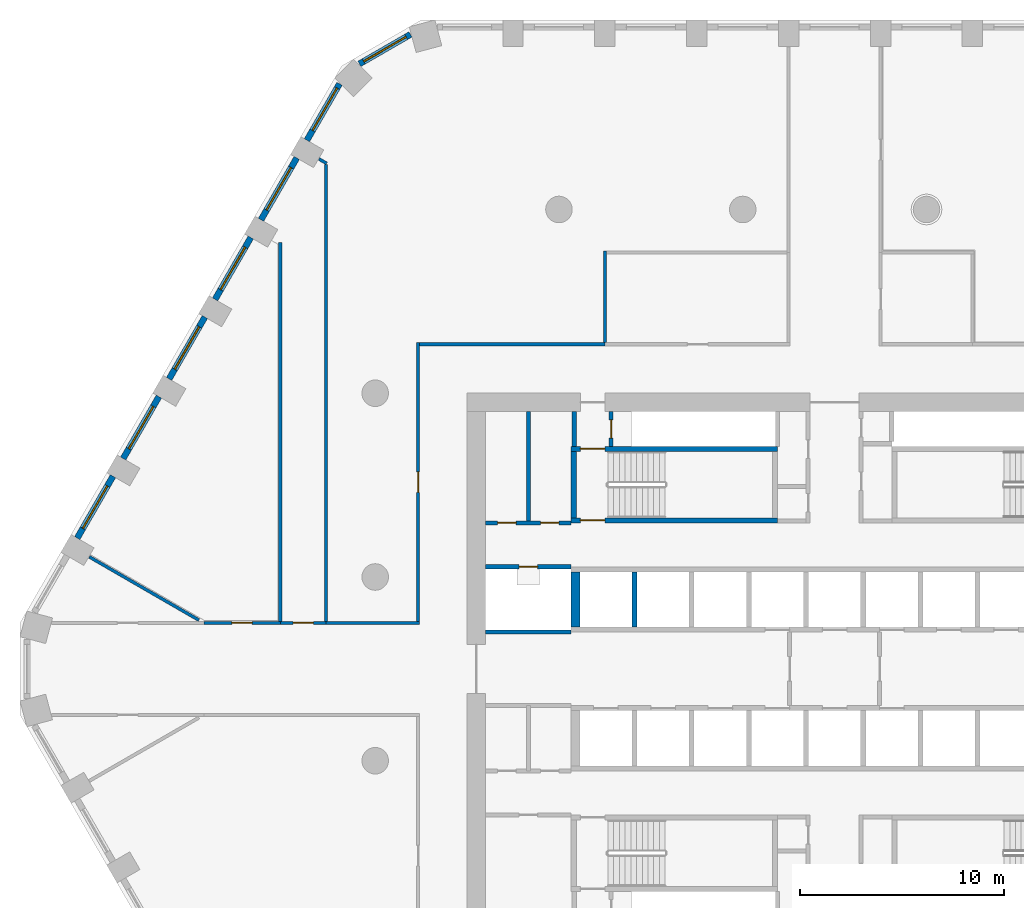
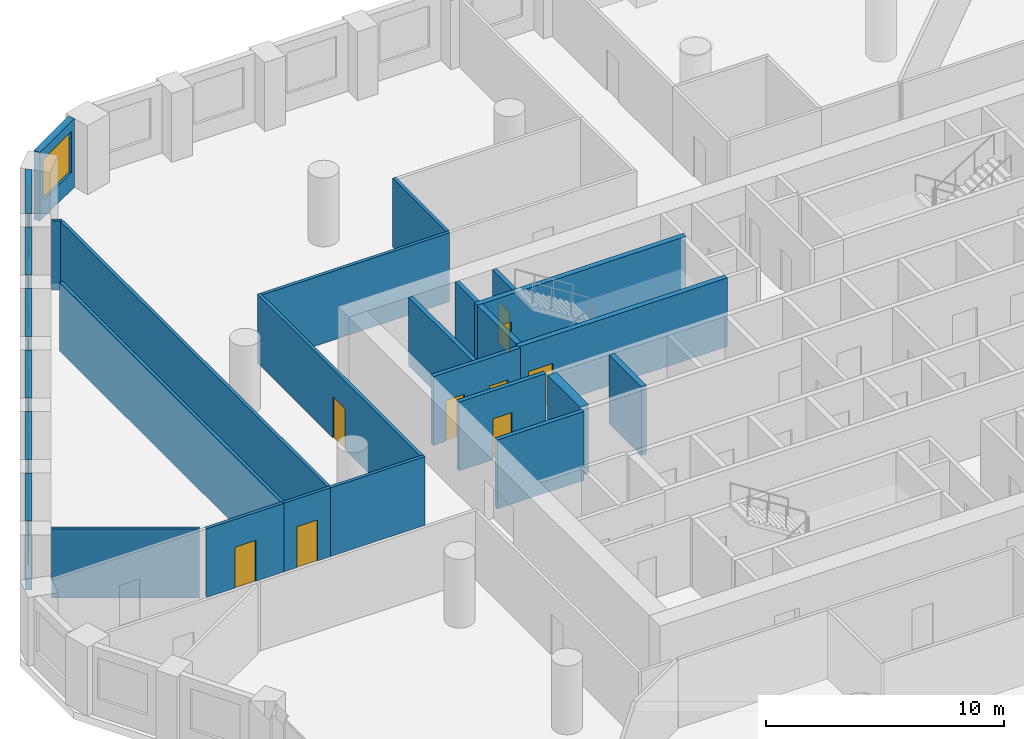
# One storey, part 5 of 14: 28 walls, 9 doors, 7 windows, 16 openings.
"""IFC4 building model written with IfcOpenShell, lengths in metres."""

import ifcopenshell
import ifcopenshell.guid

model = None  # the IFC model being written
_history = None  # IfcOwnerHistory: only IFC2X3 demands one
_inside = {}  # id of a spatial element -> (the spatial element, [elements in it])
_under = {}  # id of a project, library or spatial element -> (it, [spatial elements below it])
_declared = {}  # id of a project -> (the project, [libraries it declares])
_typed = {}  # id of a type object -> (the type object, [elements of that type])
_made_of = {}  # id of a material, layer set ... -> (it, [elements and type objects made of it])


def new_model(schema):
    """Start an empty IFC model of exactly this schema.

    Asked for "IFC4X3", IfcOpenShell would pick the latest addendum, in which some entities
    have other attributes; the version numbers below select the first issue.
    IFC2X3 requires an IfcOwnerHistory on every rooted entity: one is made here for all.
    """
    global model, _history
    if schema == "IFC4X3":
        model = ifcopenshell.file(schema_version=(4, 3, 0, 0))
    else:
        model = ifcopenshell.file(schema=schema)
    _inside.clear()
    _under.clear()
    _declared.clear()
    _typed.clear()
    _made_of.clear()
    _history = None
    if model.schema == "IFC2X3":
        org = make("IfcOrganization", Name="unknown")
        user = make(
            "IfcPersonAndOrganization",
            ThePerson=make("IfcPerson", FamilyName="unknown"),
            TheOrganization=org,
        )
        app = make(
            "IfcApplication",
            ApplicationDeveloper=org,
            Version="unknown",
            ApplicationFullName="unknown",
            ApplicationIdentifier="unknown",
        )
        _history = make(
            "IfcOwnerHistory",
            OwningUser=user,
            OwningApplication=app,
            ChangeAction="ADDED",
            CreationDate=0,
        )
    return model


def make(cls, **values):
    """One entity of the class cls with the attributes given. An attribute that is None is left unset."""
    return model.create_entity(
        cls, **{name: value for name, value in values.items() if value is not None}
    )


def rooted(cls, **values):
    """An entity with a GlobalId (a new one), such as an element, a storey or a relation."""
    return make(cls, GlobalId=ifcopenshell.guid.new(), OwnerHistory=_history, **values)


def si_unit(unit_type, name, prefix=None):
    """IfcSIUnit, for example si_unit("LENGTHUNIT", "METRE", prefix="MILLI")."""
    return make("IfcSIUnit", UnitType=unit_type, Prefix=prefix, Name=name)


def assignment(units):
    """IfcUnitAssignment: the units of a project."""
    return None if units is None else make("IfcUnitAssignment", Units=units)


def point(xyz):
    """IfcCartesianPoint."""
    return None if xyz is None else make("IfcCartesianPoint", Coordinates=xyz)


def direction(xyz):
    """IfcDirection."""
    return None if xyz is None else make("IfcDirection", DirectionRatios=xyz)


def frame(location, z_axis=None, x_axis=None):
    """IfcAxis2Placement3D, a coordinate frame: its origin and axes. An axis left out is left unset."""
    return make(
        "IfcAxis2Placement3D",
        Location=point(location),
        Axis=direction(z_axis),
        RefDirection=direction(x_axis),
    )


def frame_2d(location, x_axis=None):
    """IfcAxis2Placement2D, a coordinate frame in the plane: its origin and x axis."""
    return make(
        "IfcAxis2Placement2D", Location=point(location), RefDirection=direction(x_axis)
    )


def origin():
    """The frame at (0, 0, 0) with its axes left unset."""
    return frame((0.0, 0.0, 0.0))


def place(relative_to, where):
    """IfcLocalPlacement: puts the frame where relative to a parent placement (None: the world)."""
    return make(
        "IfcLocalPlacement", PlacementRelTo=relative_to, RelativePlacement=where
    )


def context(
    kind, dimensions, precision=None, world=None, true_north=None, identifier=None
):
    """IfcGeometricRepresentationContext, for example the 3D "Model" context."""
    return make(
        "IfcGeometricRepresentationContext",
        ContextIdentifier=identifier,
        ContextType=kind,
        CoordinateSpaceDimension=dimensions,
        Precision=precision,
        WorldCoordinateSystem=world,
        TrueNorth=true_north,
    )


def subcontext(parent, identifier, kind, view, scale=None):
    """IfcGeometricRepresentationSubContext, for example "Body" below "Model"."""
    return make(
        "IfcGeometricRepresentationSubContext",
        ContextIdentifier=identifier,
        ContextType=kind,
        ParentContext=parent,
        TargetScale=scale,
        TargetView=view,
    )


def project(units=None, contexts=None):
    """IfcProject with its units and contexts."""
    return rooted(
        "IfcProject",
        Name="project",
        RepresentationContexts=contexts,
        UnitsInContext=assignment(units),
    )


def spatial(cls, under=None, at=None, **own):
    """A site, building, storey or space (cls), placed at a placement, below another one or the project."""
    s = rooted(cls, ObjectPlacement=at, **own)
    if under is not None:
        _under.setdefault(under.id(), (under, []))[1].append(s)
    return s


def polyline(points):
    """IfcPolyline through the points."""
    return make("IfcPolyline", Points=[point(p) for p in points])


def profile(cls, at=None, kind="AREA", **sizes):
    """A parametric profile (cls). Its sizes go by their IFC names, for example OverallWidth=200.0."""
    return make(cls, ProfileType=kind, Position=at, **sizes)


def rectangle(**sizes):
    """IfcRectangleProfileDef."""
    return profile("IfcRectangleProfileDef", **sizes)


def outline(outer, holes=None, kind="AREA"):
    """IfcArbitraryClosedProfileDef: a profile drawn as a closed curve; with holes, ...WithVoids."""
    if holes is None:
        return make("IfcArbitraryClosedProfileDef", ProfileType=kind, OuterCurve=outer)
    return make(
        "IfcArbitraryProfileDefWithVoids",
        ProfileType=kind,
        OuterCurve=outer,
        InnerCurves=holes,
    )


def extrude(swept, where, along, depth):
    """IfcExtrudedAreaSolid: the profile swept, set in the frame where, extruded along a direction by depth."""
    return make(
        "IfcExtrudedAreaSolid",
        SweptArea=swept,
        Position=where,
        ExtrudedDirection=direction(along),
        Depth=depth,
    )


def shape(context_of_items, identifier, shape_type, items):
    """IfcShapeRepresentation: the items that make up one representation, for example the "Body"."""
    return make(
        "IfcShapeRepresentation",
        ContextOfItems=context_of_items,
        RepresentationIdentifier=identifier,
        RepresentationType=shape_type,
        Items=items,
    )


def material(Name=None, Category=None):
    """IfcMaterial."""
    return make("IfcMaterial", Name=Name, Category=Category)


def layer(
    of_material, thickness, ventilated=None, Name=None, Category=None, Priority=None
):
    """IfcMaterialLayer: one layer of a wall or slab, of a material (None: an air gap)."""
    return make(
        "IfcMaterialLayer",
        Material=of_material,
        LayerThickness=thickness,
        IsVentilated=ventilated,
        Name=Name,
        Category=Category,
        Priority=Priority,
    )


def layer_set(layers, Name=None):
    """IfcMaterialLayerSet."""
    return make("IfcMaterialLayerSet", MaterialLayers=layers, LayerSetName=Name)


def made_of(thing, what):
    """Note that an element or type object is made of a material, layer set ...; save() writes the relation."""
    if what is not None:
        _made_of.setdefault(what.id(), (what, []))[1].append(thing)
    return thing


def type_object(cls, material=None, **own):
    """A type object (cls), such as IfcWallType, which elements share."""
    return made_of(rooted(cls, **own), material)


def element(
    cls,
    number,
    at=None,
    inside=None,
    cuts=None,
    type_object=None,
    material=None,
    context=None,
    identifier="Body",
    shape_type=None,
    held_by="IfcProductDefinitionShape",
    body=None,
    shapes=None,
    **own,
):
    """One element of the class cls, such as IfcWall. Its Tag is "e" and its number.

    at: its placement. inside: the storey or other place that contains it. cuts: it is an
    opening in that element (IfcRelVoidsElement). A single representation is given by context,
    identifier, shape_type and body (its items); several are given by shapes. held_by: the class
    of the entity that holds the representations. save() writes the other relations.
    """
    e = rooted(cls, Tag="e%d" % number, ObjectPlacement=at, **own)
    if body is not None:
        shapes = [shape(context, identifier, shape_type, body)]
    if shapes is not None:
        e.Representation = make(held_by, Representations=shapes)
    if inside is not None:
        _inside.setdefault(inside.id(), (inside, []))[1].append(e)
    if cuts is not None:
        rooted(
            "IfcRelVoidsElement", RelatingBuildingElement=cuts, RelatedOpeningElement=e
        )
    if type_object is not None:
        _typed.setdefault(type_object.id(), (type_object, []))[1].append(e)
    return made_of(e, material)


def fill(opening, filler):
    """IfcRelFillsElement: the door or window that sits in an opening."""
    return rooted(
        "IfcRelFillsElement",
        RelatingOpeningElement=opening,
        RelatedBuildingElement=filler,
    )


def aggregate(whole, parts):
    """IfcRelAggregates: a whole, such as a stair, and the parts it consists of."""
    return rooted("IfcRelAggregates", RelatingObject=whole, RelatedObjects=parts)


def save(model, path):
    """Write the relations noted so far, then the file.

    IfcRelAggregates (storeys below a building ...), IfcRelContainedInSpatialStructure (elements
    in a storey), IfcRelDefinesByType, IfcRelAssociatesMaterial and IfcRelDeclares: one each for
    every whole, place, type object, material and project.
    """
    for whole, parts in _under.values():
        aggregate(whole, parts)
    for where, things in _inside.values():
        rooted(
            "IfcRelContainedInSpatialStructure",
            RelatedElements=things,
            RelatingStructure=where,
        )
    for kind, things in _typed.values():
        rooted("IfcRelDefinesByType", RelatedObjects=things, RelatingType=kind)
    for what, things in _made_of.values():
        rooted("IfcRelAssociatesMaterial", RelatedObjects=things, RelatingMaterial=what)
    for by, libraries in _declared.values():
        rooted("IfcRelDeclares", RelatingContext=by, RelatedDefinitions=libraries)
    model.write(path)


model = new_model("IFC4")

# Units and contexts
model_context = context("Model", 3, precision=1e-05, world=origin(), true_north=direction((0.0, 1.0)))
body_context = subcontext(model_context, "Body", "Model", "MODEL_VIEW")
ifc_project = project(units=[si_unit("LENGTHUNIT", "METRE"), si_unit("AREAUNIT", "SQUARE_METRE"), si_unit("VOLUMEUNIT", "CUBIC_METRE"), si_unit("PLANEANGLEUNIT", "RADIAN"), si_unit("MASSUNIT", "GRAM", prefix="KILO")], contexts=[model_context])

# Site, building, storey
site_placement = place(None, origin())
site = spatial("IfcSite", under=ifc_project, at=site_placement, CompositionType="ELEMENT")
building_placement = place(site_placement, origin())
building = spatial("IfcBuilding", under=site, at=building_placement, Name="Dhurran Vertical Campus", CompositionType="ELEMENT")
storey_placement = place(building_placement, frame((0.0, 0.0, 100.800048828125)))
storey = spatial("IfcBuildingStorey", under=building, at=storey_placement, Name="L24", CompositionType="ELEMENT", Elevation=100.800048828125)

# Wall, opening, window
ifc_material_1 = material(Name="Precast concrete C50/60", Category="concrete")
ifc_layer_1 = layer(ifc_material_1, 0.300048828125)
ifc_layer_set_1 = layer_set([ifc_layer_1], Name="Precast concrete C50/60")
wall_type_1 = type_object("IfcWallType", Name="Precast spandrel wall 300", PredefinedType="SOLIDWALL", material=ifc_layer_set_1)
wall_1_placement = place(storey_placement, frame((-20.774169921875, 31.072998046875, 0.0), z_axis=(0.0, 0.0, 1.0), x_axis=(-0.866053149362, -0.49995194017, 0.0)))
wall_1 = element("IfcWall", 1, at=wall_1_placement, inside=storey, type_object=wall_type_1, Name="EW1 L24.35", PredefinedType="SOLIDWALL", context=body_context, shape_type="SweptSolid", body=[
    extrude(rectangle(XDim=2.885498046875, YDim=0.300048828125, at=frame_2d((1.44287109375, 0.0))), origin(), (0.0, 0.0, 1.0), 3.52490234375),
])
opening_1_placement = place(wall_1_placement, frame((0.242919921875, 0.0, 0.89990234375)))
opening_1 = element("IfcOpeningElement", 2, at=opening_1_placement, cuts=wall_1, Name="Opening WT1", PredefinedType="OPENING", context=body_context, shape_type="SweptSolid", body=[
    extrude(rectangle(XDim=2.39990234375, YDim=2.10009765625, at=frame_2d((1.199951171875, 1.050048828125))), frame((0.0, 0.159912109375, 0.0), z_axis=(0.0, -1.0, 0.0), x_axis=(1.0, 0.0, 0.0)), (0.0, 0.0, 1.0), 0.320068359375),
])
ifc_material_2 = material(Name="Aluminium frame with solar-control glass", Category="aluminium")
window_type = type_object("IfcWindowType", Name="Punched window 2400 x 2100", PartitioningType="SINGLE_PANEL", PredefinedType="WINDOW", material=ifc_material_2)
window_1_placement = place(opening_1_placement, origin())
window_1 = element("IfcWindow", 3, at=window_1_placement, inside=storey, type_object=window_type, Name="WT1 L24.35", OverallHeight=2.10009765625, OverallWidth=2.39990234375, PartitioningType="SINGLE_PANEL", PredefinedType="WINDOW", context=body_context, shape_type="SweptSolid", body=[
    extrude(rectangle(XDim=2.39990234375, YDim=2.10009765625, at=frame_2d((1.199951171875, 1.050048828125))), frame((0.0, 0.030029296875, 0.0), z_axis=(0.0, -1.0, 0.0), x_axis=(1.0, 0.0, 0.0)), (0.0, 0.0, 1.0), 0.06005859375),
])
fill(opening_1, window_1)

wall_2_placement = place(storey_placement, frame((-24.24755859375, 28.65576171875, 0.0), z_axis=(0.0, 0.0, 1.0), x_axis=(-0.500004907028, -0.866022570692, 0.0)))
wall_2 = element("IfcWall", 4, at=wall_2_placement, inside=storey, type_object=wall_type_1, Name="EW1 L24.36", PredefinedType="SOLIDWALL", context=body_context, shape_type="SweptSolid", body=[
    extrude(rectangle(XDim=3.1923828125, YDim=0.300048828125, at=frame_2d((1.59619140625, 0.0))), origin(), (0.0, 0.0, 1.0), 3.52490234375),
])
opening_2_placement = place(wall_2_placement, frame((0.242919921875, 0.0, 0.89990234375)))
opening_2 = element("IfcOpeningElement", 5, at=opening_2_placement, cuts=wall_2, Name="Opening WT1", PredefinedType="OPENING", context=body_context, shape_type="SweptSolid", body=[
    extrude(rectangle(XDim=2.39990234375, YDim=2.10009765625, at=frame_2d((1.199951171875, 1.050048828125))), frame((0.0, 0.159912109375, 0.0), z_axis=(0.0, -1.0, 0.0), x_axis=(1.0, 0.0, 0.0)), (0.0, 0.0, 1.0), 0.320068359375),
])
window_2_placement = place(opening_2_placement, origin())
window_2 = element("IfcWindow", 6, at=window_2_placement, inside=storey, type_object=window_type, Name="WT1 L24.36", OverallHeight=2.10009765625, OverallWidth=2.39990234375, PartitioningType="SINGLE_PANEL", PredefinedType="WINDOW", context=body_context, shape_type="SweptSolid", body=[
    extrude(rectangle(XDim=2.39990234375, YDim=2.10009765625, at=frame_2d((1.199951171875, 1.050048828125))), frame((0.0, 0.030029296875, 0.0), z_axis=(0.0, -1.0, 0.0), x_axis=(1.0, 0.0, 0.0)), (0.0, 0.0, 1.0), 0.06005859375),
])
fill(opening_2, window_2)

wall_3_placement = place(storey_placement, frame((-26.34423828125, 25.024169921875, 0.0), z_axis=(0.0, 0.0, 1.0), x_axis=(-0.499996256241, -0.866027565234, 0.0)))
wall_3 = element("IfcWall", 7, at=wall_3_placement, inside=storey, type_object=wall_type_1, Name="EW1 L24.37", PredefinedType="SOLIDWALL", context=body_context, shape_type="SweptSolid", body=[
    extrude(rectangle(XDim=3.4990234375, YDim=0.300048828125, at=frame_2d((1.74951171875, 0.0))), origin(), (0.0, 0.0, 1.0), 3.52490234375),
])
opening_3_placement = place(wall_3_placement, frame((0.549560546875, 0.0, 0.89990234375)))
opening_3 = element("IfcOpeningElement", 8, at=opening_3_placement, cuts=wall_3, Name="Opening WT1", PredefinedType="OPENING", context=body_context, shape_type="SweptSolid", body=[
    extrude(rectangle(XDim=2.39990234375, YDim=2.10009765625, at=frame_2d((1.199951171875, 1.050048828125))), frame((0.0, 0.159912109375, 0.0), z_axis=(0.0, -1.0, 0.0), x_axis=(1.0, 0.0, 0.0)), (0.0, 0.0, 1.0), 0.320068359375),
])
window_3_placement = place(opening_3_placement, origin())
window_3 = element("IfcWindow", 9, at=window_3_placement, inside=storey, type_object=window_type, Name="WT1 L24.37", OverallHeight=2.10009765625, OverallWidth=2.39990234375, PartitioningType="SINGLE_PANEL", PredefinedType="WINDOW", context=body_context, shape_type="SweptSolid", body=[
    extrude(rectangle(XDim=2.39990234375, YDim=2.10009765625, at=frame_2d((1.199951171875, 1.050048828125))), frame((0.0, 0.030029296875, 0.0), z_axis=(0.0, -1.0, 0.0), x_axis=(1.0, 0.0, 0.0)), (0.0, 0.0, 1.0), 0.06005859375),
])
fill(opening_3, window_3)

wall_4_placement = place(storey_placement, frame((-28.59423828125, 21.127197265625, 0.0), z_axis=(0.0, 0.0, 1.0), x_axis=(-0.499996256241, -0.866027565234, 0.0)))
wall_4 = element("IfcWall", 10, at=wall_4_placement, inside=storey, type_object=wall_type_1, Name="EW1 L24.38", PredefinedType="SOLIDWALL", context=body_context, shape_type="SweptSolid", body=[
    extrude(rectangle(XDim=3.4990234375, YDim=0.300048828125, at=frame_2d((1.74951171875, 0.0))), origin(), (0.0, 0.0, 1.0), 3.52490234375),
])
opening_4_placement = place(wall_4_placement, frame((0.549560546875, 0.0, 0.89990234375)))
opening_4 = element("IfcOpeningElement", 11, at=opening_4_placement, cuts=wall_4, Name="Opening WT1", PredefinedType="OPENING", context=body_context, shape_type="SweptSolid", body=[
    extrude(rectangle(XDim=2.39990234375, YDim=2.10009765625, at=frame_2d((1.199951171875, 1.050048828125))), frame((0.0, 0.159912109375, 0.0), z_axis=(0.0, -1.0, 0.0), x_axis=(1.0, 0.0, 0.0)), (0.0, 0.0, 1.0), 0.320068359375),
])
window_4_placement = place(opening_4_placement, origin())
window_4 = element("IfcWindow", 12, at=window_4_placement, inside=storey, type_object=window_type, Name="WT1 L24.38", OverallHeight=2.10009765625, OverallWidth=2.39990234375, PartitioningType="SINGLE_PANEL", PredefinedType="WINDOW", context=body_context, shape_type="SweptSolid", body=[
    extrude(rectangle(XDim=2.39990234375, YDim=2.10009765625, at=frame_2d((1.199951171875, 1.050048828125))), frame((0.0, 0.030029296875, 0.0), z_axis=(0.0, -1.0, 0.0), x_axis=(1.0, 0.0, 0.0)), (0.0, 0.0, 1.0), 0.06005859375),
])
fill(opening_4, window_4)

wall_5_placement = place(storey_placement, frame((-30.84423828125, 17.22998046875, 0.0), z_axis=(0.0, 0.0, 1.0), x_axis=(-0.499996256241, -0.866027565234, 0.0)))
wall_5 = element("IfcWall", 13, at=wall_5_placement, inside=storey, type_object=wall_type_1, Name="EW1 L24.39", PredefinedType="SOLIDWALL", context=body_context, shape_type="SweptSolid", body=[
    extrude(rectangle(XDim=3.4990234375, YDim=0.300048828125, at=frame_2d((1.74951171875, 0.0))), origin(), (0.0, 0.0, 1.0), 3.52490234375),
])
opening_5_placement = place(wall_5_placement, frame((0.549560546875, 0.0, 0.89990234375)))
opening_5 = element("IfcOpeningElement", 14, at=opening_5_placement, cuts=wall_5, Name="Opening WT1", PredefinedType="OPENING", context=body_context, shape_type="SweptSolid", body=[
    extrude(rectangle(XDim=2.39990234375, YDim=2.10009765625, at=frame_2d((1.199951171875, 1.050048828125))), frame((0.0, 0.159912109375, 0.0), z_axis=(0.0, -1.0, 0.0), x_axis=(1.0, 0.0, 0.0)), (0.0, 0.0, 1.0), 0.320068359375),
])
window_5_placement = place(opening_5_placement, origin())
window_5 = element("IfcWindow", 15, at=window_5_placement, inside=storey, type_object=window_type, Name="WT1 L24.39", OverallHeight=2.10009765625, OverallWidth=2.39990234375, PartitioningType="SINGLE_PANEL", PredefinedType="WINDOW", context=body_context, shape_type="SweptSolid", body=[
    extrude(rectangle(XDim=2.39990234375, YDim=2.10009765625, at=frame_2d((1.199951171875, 1.050048828125))), frame((0.0, 0.030029296875, 0.0), z_axis=(0.0, -1.0, 0.0), x_axis=(1.0, 0.0, 0.0)), (0.0, 0.0, 1.0), 0.06005859375),
])
fill(opening_5, window_5)

wall_6_placement = place(storey_placement, frame((-33.09423828125, 13.3330078125, 0.0), z_axis=(0.0, 0.0, 1.0), x_axis=(-0.499996256241, -0.866027565234, 0.0)))
wall_6 = element("IfcWall", 16, at=wall_6_placement, inside=storey, type_object=wall_type_1, Name="EW1 L24.40", PredefinedType="SOLIDWALL", context=body_context, shape_type="SweptSolid", body=[
    extrude(rectangle(XDim=3.4990234375, YDim=0.300048828125, at=frame_2d((1.74951171875, 0.0))), origin(), (0.0, 0.0, 1.0), 3.52490234375),
])
opening_6_placement = place(wall_6_placement, frame((0.549560546875, 0.0, 0.89990234375)))
opening_6 = element("IfcOpeningElement", 17, at=opening_6_placement, cuts=wall_6, Name="Opening WT1", PredefinedType="OPENING", context=body_context, shape_type="SweptSolid", body=[
    extrude(rectangle(XDim=2.39990234375, YDim=2.10009765625, at=frame_2d((1.199951171875, 1.050048828125))), frame((0.0, 0.159912109375, 0.0), z_axis=(0.0, -1.0, 0.0), x_axis=(1.0, 0.0, 0.0)), (0.0, 0.0, 1.0), 0.320068359375),
])
window_6_placement = place(opening_6_placement, origin())
window_6 = element("IfcWindow", 18, at=window_6_placement, inside=storey, type_object=window_type, Name="WT1 L24.40", OverallHeight=2.10009765625, OverallWidth=2.39990234375, PartitioningType="SINGLE_PANEL", PredefinedType="WINDOW", context=body_context, shape_type="SweptSolid", body=[
    extrude(rectangle(XDim=2.39990234375, YDim=2.10009765625, at=frame_2d((1.199951171875, 1.050048828125))), frame((0.0, 0.030029296875, 0.0), z_axis=(0.0, -1.0, 0.0), x_axis=(1.0, 0.0, 0.0)), (0.0, 0.0, 1.0), 0.06005859375),
])
fill(opening_6, window_6)

wall_7_placement = place(storey_placement, frame((-35.34423828125, 9.435791015625, 0.0), z_axis=(0.0, 0.0, 1.0), x_axis=(-0.499996256241, -0.866027565234, 0.0)))
wall_7 = element("IfcWall", 19, at=wall_7_placement, inside=storey, type_object=wall_type_1, Name="EW1 L24.41", PredefinedType="SOLIDWALL", context=body_context, shape_type="SweptSolid", body=[
    extrude(rectangle(XDim=3.4990234375, YDim=0.300048828125, at=frame_2d((1.74951171875, 0.0))), origin(), (0.0, 0.0, 1.0), 3.52490234375),
])
opening_7_placement = place(wall_7_placement, frame((0.549560546875, 0.0, 0.89990234375)))
opening_7 = element("IfcOpeningElement", 20, at=opening_7_placement, cuts=wall_7, Name="Opening WT1", PredefinedType="OPENING", context=body_context, shape_type="SweptSolid", body=[
    extrude(rectangle(XDim=2.39990234375, YDim=2.10009765625, at=frame_2d((1.199951171875, 1.050048828125))), frame((0.0, 0.159912109375, 0.0), z_axis=(0.0, -1.0, 0.0), x_axis=(1.0, 0.0, 0.0)), (0.0, 0.0, 1.0), 0.320068359375),
])
window_7_placement = place(opening_7_placement, origin())
window_7 = element("IfcWindow", 21, at=window_7_placement, inside=storey, type_object=window_type, Name="WT1 L24.41", OverallHeight=2.10009765625, OverallWidth=2.39990234375, PartitioningType="SINGLE_PANEL", PredefinedType="WINDOW", context=body_context, shape_type="SweptSolid", body=[
    extrude(rectangle(XDim=2.39990234375, YDim=2.10009765625, at=frame_2d((1.199951171875, 1.050048828125))), frame((0.0, 0.030029296875, 0.0), z_axis=(0.0, -1.0, 0.0), x_axis=(1.0, 0.0, 0.0)), (0.0, 0.0, 1.0), 0.06005859375),
])
fill(opening_7, window_7)

# Wall
ifc_material_3 = material(Name="Fire-rated masonry blockwork", Category="masonry")
ifc_layer_2 = layer(ifc_material_3, 0.199951171875)
ifc_layer_set_2 = layer_set([ifc_layer_2], Name="Fire-rated masonry blockwork")
wall_type_2 = type_object("IfcWallType", Name="co-FIRE-PARTITION-200", PredefinedType="PARTITIONING", material=ifc_layer_set_2)
wall_8_placement = place(storey_placement, frame((-12.75, 10.89990234375, 0.0), z_axis=(0.0, 0.0, 1.0), x_axis=(0.0, 1.0, 0.0)))
element("IfcWall", 22, at=wall_8_placement, inside=storey, type_object=wall_type_2, Name="Core partition pass-ST1-o L24", PredefinedType="PARTITIONING", context=body_context, shape_type="SweptSolid", body=[
    extrude(rectangle(XDim=1.7001953125, YDim=0.199951171875, at=frame_2d((0.85009765625, 0.0))), origin(), (0.0, 0.0, 1.0), 3.52490234375),
])

# Wall, opening, door
wall_9_placement = place(storey_placement, frame((-10.949951171875, 10.89990234375, 0.0), z_axis=(0.0, 0.0, 1.0), x_axis=(0.0, 1.0, 0.0)))
wall_9 = element("IfcWall", 23, at=wall_9_placement, inside=storey, type_object=wall_type_2, Name="Core partition pass-ST1-i L24", PredefinedType="PARTITIONING", context=body_context, shape_type="SweptSolid", body=[
    extrude(rectangle(XDim=1.7001953125, YDim=0.199951171875, at=frame_2d((0.85009765625, 0.0))), origin(), (0.0, 0.0, 1.0), 3.52490234375),
])
opening_8_placement = place(wall_9_placement, frame((0.39990234375, 0.0, 0.0)))
opening_8 = element("IfcOpeningElement", 24, at=opening_8_placement, cuts=wall_9, Name="Opening T06-C8", PredefinedType="OPENING", context=body_context, shape_type="SweptSolid", body=[
    extrude(rectangle(XDim=0.89990234375, YDim=2.10009765625, at=frame_2d((0.449951171875, 1.050048828125))), frame((0.0, 0.10986328125, 0.0), z_axis=(0.0, -1.0, 0.0), x_axis=(1.0, 0.0, 0.0)), (0.0, 0.0, 1.0), 0.219970703125),
])
ifc_material_4 = material(Name="Fire-rated timber door set", Category="wood")
door_type_1 = type_object("IfcDoorType", Name="co-D-ROOM 900x2100", OperationType="SINGLE_SWING_LEFT", PredefinedType="DOOR", material=ifc_material_4)
door_1_placement = place(opening_8_placement, origin())
door_1 = element("IfcDoor", 25, at=door_1_placement, inside=storey, type_object=door_type_1, Name="Riser room door L24", OperationType="SINGLE_SWING_LEFT", OverallHeight=2.10009765625, OverallWidth=0.89990234375, PredefinedType="DOOR", context=body_context, shape_type="SweptSolid", body=[
    extrude(rectangle(XDim=0.89990234375, YDim=2.10009765625, at=frame_2d((0.449951171875, 1.050048828125))), frame((0.0, 0.02490234375, 0.0), z_axis=(0.0, -1.0, 0.0), x_axis=(1.0, 0.0, 0.0)), (0.0, 0.0, 1.0), 0.050048828125),
])
fill(opening_8, door_1)

# Wall
wall_10_placement = place(storey_placement, frame((-15.0, 7.14990234375, 0.0), z_axis=(0.0, 0.0, 1.0), x_axis=(0.0, 1.0, 0.0)))
element("IfcWall", 26, at=wall_10_placement, inside=storey, type_object=wall_type_2, Name="Core partition en-NW-cut0 L24", PredefinedType="PARTITIONING", context=body_context, shape_type="SweptSolid", body=[
    extrude(rectangle(XDim=5.4501953125, YDim=0.199951171875, at=frame_2d((2.72509765625, 0.0))), origin(), (0.0, 0.0, 1.0), 3.52490234375),
])

# Wall, openings, doors
wall_11_placement = place(storey_placement, frame((-17.10009765625, 7.14990234375, 0.0), z_axis=(0.0, 0.0, 1.0), x_axis=(1.0, 0.0, 0.0)))
wall_11 = element("IfcWall", 27, at=wall_11_placement, inside=storey, type_object=wall_type_2, Name="Core partition en-NW-w L24", PredefinedType="PARTITIONING", context=body_context, shape_type="SweptSolid", body=[
    extrude(rectangle(XDim=4.2001953125, YDim=0.199951171875, at=frame_2d((2.10009765625, 0.0))), origin(), (0.0, 0.0, 1.0), 3.52490234375),
])
opening_9_placement = place(wall_11_placement, frame((0.60009765625, 0.0, 0.0)))
opening_9 = element("IfcOpeningElement", 28, at=opening_9_placement, cuts=wall_11, Name="Opening T06-C12", PredefinedType="OPENING", context=body_context, shape_type="SweptSolid", body=[
    extrude(rectangle(XDim=0.89990234375, YDim=2.10009765625, at=frame_2d((0.449951171875, 1.050048828125))), frame((0.0, 0.10986328125, 0.0), z_axis=(0.0, -1.0, 0.0), x_axis=(1.0, 0.0, 0.0)), (0.0, 0.0, 1.0), 0.219970703125),
])
opening_10_placement = place(wall_11_placement, frame((2.699951171875, 0.0, 0.0)))
opening_10 = element("IfcOpeningElement", 29, at=opening_10_placement, cuts=wall_11, Name="Opening T06-C13", PredefinedType="OPENING", context=body_context, shape_type="SweptSolid", body=[
    extrude(rectangle(XDim=0.89990234375, YDim=2.10009765625, at=frame_2d((0.449951171875, 1.050048828125))), frame((0.0, 0.10986328125, 0.0), z_axis=(0.0, -1.0, 0.0), x_axis=(1.0, 0.0, 0.0)), (0.0, 0.0, 1.0), 0.219970703125),
])
door_2_placement = place(opening_9_placement, origin())
door_2 = element("IfcDoor", 30, at=door_2_placement, inside=storey, type_object=door_type_1, Name="Housekeeping store door L24", OperationType="SINGLE_SWING_LEFT", OverallHeight=2.10009765625, OverallWidth=0.89990234375, PredefinedType="DOOR", context=body_context, shape_type="SweptSolid", body=[
    extrude(rectangle(XDim=0.89990234375, YDim=2.10009765625, at=frame_2d((0.449951171875, 1.050048828125))), frame((0.0, 0.02490234375, 0.0), z_axis=(0.0, -1.0, 0.0), x_axis=(1.0, 0.0, 0.0)), (0.0, 0.0, 1.0), 0.050048828125),
])
fill(opening_9, door_2)
door_3_placement = place(opening_10_placement, origin())
door_3 = element("IfcDoor", 31, at=door_3_placement, inside=storey, type_object=door_type_1, Name="Waste room door L24", OperationType="SINGLE_SWING_LEFT", OverallHeight=2.10009765625, OverallWidth=0.89990234375, PredefinedType="DOOR", context=body_context, shape_type="SweptSolid", body=[
    extrude(rectangle(XDim=0.89990234375, YDim=2.10009765625, at=frame_2d((0.449951171875, 1.050048828125))), frame((0.0, 0.02490234375, 0.0), z_axis=(0.0, -1.0, 0.0), x_axis=(1.0, 0.0, 0.0)), (0.0, 0.0, 1.0), 0.050048828125),
])
fill(opening_10, door_3)

# Wall, opening, door
wall_12_placement = place(storey_placement, frame((-17.10009765625, 5.0, 0.0), z_axis=(0.0, 0.0, 1.0), x_axis=(1.0, 0.0, 0.0)))
wall_12 = element("IfcWall", 32, at=wall_12_placement, inside=storey, type_object=wall_type_2, Name="Core partition es-NW-w L24", PredefinedType="PARTITIONING", context=body_context, shape_type="SweptSolid", body=[
    extrude(rectangle(XDim=4.2001953125, YDim=0.199951171875, at=frame_2d((2.10009765625, 0.0))), origin(), (0.0, 0.0, 1.0), 3.52490234375),
])
opening_11_placement = place(wall_12_placement, frame((1.64990234375, 0.0, 0.0)))
opening_11 = element("IfcOpeningElement", 33, at=opening_11_placement, cuts=wall_12, Name="Opening T06-C14", PredefinedType="OPENING", context=body_context, shape_type="SweptSolid", body=[
    extrude(rectangle(XDim=0.89990234375, YDim=2.10009765625, at=frame_2d((0.449951171875, 1.050048828125))), frame((0.0, 0.10986328125, 0.0), z_axis=(0.0, -1.0, 0.0), x_axis=(1.0, 0.0, 0.0)), (0.0, 0.0, 1.0), 0.219970703125),
])
door_4_placement = place(opening_11_placement, origin())
door_4 = element("IfcDoor", 34, at=door_4_placement, inside=storey, type_object=door_type_1, Name="Water riser door L24", OperationType="SINGLE_SWING_LEFT", OverallHeight=2.10009765625, OverallWidth=0.89990234375, PredefinedType="DOOR", context=body_context, shape_type="SweptSolid", body=[
    extrude(rectangle(XDim=0.89990234375, YDim=2.10009765625, at=frame_2d((0.449951171875, 1.050048828125))), frame((0.0, 0.02490234375, 0.0), z_axis=(0.0, -1.0, 0.0), x_axis=(1.0, 0.0, 0.0)), (0.0, 0.0, 1.0), 0.050048828125),
])
fill(opening_11, door_4)

# Walls
wall_13_placement = place(storey_placement, frame((-17.10009765625, 1.800048828125, 0.0), z_axis=(0.0, 0.0, 1.0), x_axis=(1.0, 0.0, 0.0)))
element("IfcWall", 35, at=wall_13_placement, inside=storey, type_object=wall_type_2, Name="Core partition es-NW-l L24", PredefinedType="PARTITIONING", context=body_context, shape_type="SweptSolid", body=[
    extrude(rectangle(XDim=4.2001953125, YDim=0.199951171875, at=frame_2d((2.10009765625, 0.0))), origin(), (0.0, 0.0, 1.0), 3.52490234375),
])
ifc_material_5 = material(Name="Concrete C50/60", Category="concrete")
ifc_layer_3 = layer(ifc_material_5, 0.25)
ifc_layer_set_3 = layer_set([ifc_layer_3], Name="Concrete C50/60")
wall_type_3 = type_object("IfcWallType", Name="co-SHAFT-MASS-250", PredefinedType="SHEAR", material=ifc_layer_set_3)
wall_14_placement = place(storey_placement, origin())
element("IfcWall", 36, at=wall_14_placement, inside=storey, type_object=wall_type_3, Name="Lift shaft wall N L24 2", PredefinedType="SHEAR", context=body_context, shape_type="SweptSolid", body=[
    extrude(outline(polyline([(-12.89990234375, 2.050048828125), (-12.47509765625, 2.050048828125), (-12.47509765625, 4.75), (-12.89990234375, 4.75), (-12.89990234375, 2.050048828125)])), origin(), (0.0, 0.0, 1.0), 3.52490234375),
])
wall_15_placement = place(storey_placement, origin())
element("IfcWall", 37, at=wall_15_placement, inside=storey, type_object=wall_type_3, Name="Lift shaft wall N L24 3", PredefinedType="SHEAR", context=body_context, shape_type="SweptSolid", body=[
    extrude(outline(polyline([(-9.925048828125, 2.050048828125), (-9.675048828125, 2.050048828125), (-9.675048828125, 4.75), (-9.925048828125, 4.75), (-9.925048828125, 2.050048828125)])), origin(), (0.0, 0.0, 1.0), 3.52490234375),
])

# Wall, opening, door
ifc_material_6 = material(Name="Concrete C40/50", Category="concrete")
ifc_layer_4 = layer(ifc_material_6, 0.25)
ifc_layer_set_4 = layer_set([ifc_layer_4], Name="Concrete C40/50")
wall_type_4 = type_object("IfcWallType", Name="co-STAIR-WALL-250", PredefinedType="SHEAR", material=ifc_layer_set_4)
wall_16_placement = place(storey_placement, frame((-12.89990234375, 7.27490234375, 0.0), z_axis=(0.0, 0.0, 1.0), x_axis=(1.0, 0.0, 0.0)))
wall_16 = element("IfcWall", 38, at=wall_16_placement, inside=storey, type_object=wall_type_4, Name="Stair ST1 enclosure wall L24", PredefinedType="SHEAR", context=body_context, shape_type="SweptSolid", body=[
    extrude(rectangle(XDim=10.099853515625, YDim=0.25, at=frame_2d((5.0498046875, 0.0))), origin(), (0.0, 0.0, 1.0), 3.52490234375),
])
opening_12_placement = place(wall_16_placement, frame((0.449951171875, 0.0, 0.0)))
opening_12 = element("IfcOpeningElement", 39, at=opening_12_placement, cuts=wall_16, Name="Opening SD1", PredefinedType="OPENING", context=body_context, shape_type="SweptSolid", body=[
    extrude(rectangle(XDim=1.199951171875, YDim=2.10009765625, at=frame_2d((0.60009765625, 1.050048828125))), frame((0.0, 0.135009765625, 0.0), z_axis=(0.0, -1.0, 0.0), x_axis=(1.0, 0.0, 0.0)), (0.0, 0.0, 1.0), 0.27001953125),
])
ifc_material_7 = material(Name="Fire-rated steel door set", Category="steel")
door_type_2 = type_object("IfcDoorType", Name="co-D-STAIR 1200x2100", OperationType="SINGLE_SWING_LEFT", PredefinedType="DOOR", material=ifc_material_7)
door_5_placement = place(opening_12_placement, origin())
door_5 = element("IfcDoor", 40, at=door_5_placement, inside=storey, type_object=door_type_2, Name="Stair ST1 door L24", OperationType="SINGLE_SWING_LEFT", OverallHeight=2.10009765625, OverallWidth=1.199951171875, PredefinedType="DOOR", context=body_context, shape_type="SweptSolid", body=[
    extrude(rectangle(XDim=1.199951171875, YDim=2.10009765625, at=frame_2d((0.60009765625, 1.050048828125))), frame((0.0, 0.02490234375, 0.0), z_axis=(0.0, -1.0, 0.0), x_axis=(1.0, 0.0, 0.0)), (0.0, 0.0, 1.0), 0.050048828125),
])
fill(opening_12, door_5)

wall_17_placement = place(storey_placement, frame((-12.89990234375, 10.77490234375, 0.0), z_axis=(0.0, 0.0, 1.0), x_axis=(1.0, 0.0, 0.0)))
wall_17 = element("IfcWall", 41, at=wall_17_placement, inside=storey, type_object=wall_type_4, Name="Stair ST1 enclosure wall L24", PredefinedType="SHEAR", context=body_context, shape_type="SweptSolid", body=[
    extrude(rectangle(XDim=10.099853515625, YDim=0.25, at=frame_2d((5.0498046875, 0.0))), origin(), (0.0, 0.0, 1.0), 3.52490234375),
])
opening_13_placement = place(wall_17_placement, frame((0.449951171875, 0.0, 0.0)))
opening_13 = element("IfcOpeningElement", 42, at=opening_13_placement, cuts=wall_17, Name="Opening XS1", PredefinedType="OPENING", context=body_context, shape_type="SweptSolid", body=[
    extrude(rectangle(XDim=1.199951171875, YDim=2.10009765625, at=frame_2d((0.60009765625, 1.050048828125))), frame((0.0, 0.135009765625, 0.0), z_axis=(0.0, -1.0, 0.0), x_axis=(1.0, 0.0, 0.0)), (0.0, 0.0, 1.0), 0.27001953125),
])
ifc_material_8 = material(Name="Fire-rated steel door set", Category="steel")
door_type_3 = type_object("IfcDoorType", Name="co-D-STAIR-EXIT 1200x2100", OperationType="SINGLE_SWING_RIGHT", PredefinedType="DOOR", material=ifc_material_8)
door_6_placement = place(opening_13_placement, origin())
door_6 = element("IfcDoor", 43, at=door_6_placement, inside=storey, type_object=door_type_3, Name="Stair ST1 discharge door L24", OperationType="SINGLE_SWING_RIGHT", OverallHeight=2.10009765625, OverallWidth=1.199951171875, PredefinedType="DOOR", context=body_context, shape_type="SweptSolid", body=[
    extrude(rectangle(XDim=1.199951171875, YDim=2.10009765625, at=frame_2d((0.60009765625, 1.050048828125))), frame((0.0, 0.02490234375, 0.0), z_axis=(0.0, -1.0, 0.0), x_axis=(1.0, 0.0, 0.0)), (0.0, 0.0, 1.0), 0.050048828125),
])
fill(opening_13, door_6)

# Wall
wall_18_placement = place(storey_placement, frame((-12.77490234375, 7.39990234375, 0.0), z_axis=(0.0, 0.0, 1.0), x_axis=(0.0, 1.0, 0.0)))
element("IfcWall", 44, at=wall_18_placement, inside=storey, type_object=wall_type_4, Name="Stair ST1 enclosure wall L24", PredefinedType="SHEAR", context=body_context, shape_type="SweptSolid", body=[
    extrude(rectangle(XDim=3.25, YDim=0.25, at=frame_2d((1.625, 0.0))), origin(), (0.0, 0.0, 1.0), 3.52490234375),
])

# Wall, opening, door
ifc_material_9 = material(Name="Gypsum board corridor wall on steel studs", Category="steel")
ifc_layer_5 = layer(ifc_material_9, 0.14990234375)
ifc_layer_set_5 = layer_set([ifc_layer_5], Name="Gypsum board corridor wall on steel studs")
wall_type_5 = type_object("IfcWallType", Name="fl-CW-150 corridor wall", PredefinedType="PARTITIONING", material=ifc_layer_set_5)
wall_19_placement = place(storey_placement, frame((-30.89697265625, 2.25, 0.0), z_axis=(0.0, 0.0, 1.0), x_axis=(1.0, 0.0, 0.0)))
wall_19 = element("IfcWall", 45, at=wall_19_placement, inside=storey, type_object=wall_type_5, Name="Partition 24-06", PredefinedType="PARTITIONING", context=body_context, shape_type="SweptSolid", body=[
    extrude(rectangle(XDim=3.7470703125, YDim=0.14990234375, at=frame_2d((1.87353515625, 0.0))), origin(), (0.0, 0.0, 1.0), 3.52490234375),
])
opening_14_placement = place(wall_19_placement, frame((1.37353515625, 0.0, 0.0)))
opening_14 = element("IfcOpeningElement", 46, at=opening_14_placement, cuts=wall_19, Name="Opening T06.03", PredefinedType="OPENING", context=body_context, shape_type="SweptSolid", body=[
    extrude(rectangle(XDim=1.0, YDim=2.10009765625, at=frame_2d((0.5, 1.050048828125))), frame((0.0, 0.0849609375, 0.0), z_axis=(0.0, -1.0, 0.0), x_axis=(1.0, 0.0, 0.0)), (0.0, 0.0, 1.0), 0.169921875),
])
ifc_material_10 = material(Name="Solid-core timber door set, fire-rated", Category="wood")
door_type_4 = type_object("IfcDoorType", Name="fl-D-1000x2100", OperationType="SINGLE_SWING_LEFT", PredefinedType="DOOR", material=ifc_material_10)
door_7_placement = place(opening_14_placement, origin())
door_7 = element("IfcDoor", 47, at=door_7_placement, inside=storey, type_object=door_type_4, Name="Door 24.03", OperationType="SINGLE_SWING_RIGHT", OverallHeight=2.10009765625, OverallWidth=1.0, PredefinedType="DOOR", context=body_context, shape_type="SweptSolid", body=[
    extrude(rectangle(XDim=1.0, YDim=2.10009765625, at=frame_2d((0.5, 1.050048828125))), frame((0.0, 0.02490234375, 0.0), z_axis=(0.0, -1.0, 0.0), x_axis=(1.0, 0.0, 0.0)), (0.0, 0.0, 1.0), 0.050048828125),
])
fill(opening_14, door_7)

wall_20_placement = place(storey_placement, frame((-27.14990234375, 2.25, 0.0), z_axis=(0.0, 0.0, 1.0), x_axis=(1.0, 0.0, 0.0)))
wall_20 = element("IfcWall", 48, at=wall_20_placement, inside=storey, type_object=wall_type_5, Name="Partition 24-09", PredefinedType="PARTITIONING", context=body_context, shape_type="SweptSolid", body=[
    extrude(rectangle(XDim=2.25, YDim=0.14990234375, at=frame_2d((1.125, 0.0))), origin(), (0.0, 0.0, 1.0), 3.52490234375),
])
opening_15_placement = place(wall_20_placement, frame((0.625, 0.0, 0.0)))
opening_15 = element("IfcOpeningElement", 49, at=opening_15_placement, cuts=wall_20, Name="Opening T06.05", PredefinedType="OPENING", context=body_context, shape_type="SweptSolid", body=[
    extrude(rectangle(XDim=1.0, YDim=2.10009765625, at=frame_2d((0.5, 1.050048828125))), frame((0.0, 0.0849609375, 0.0), z_axis=(0.0, -1.0, 0.0), x_axis=(1.0, 0.0, 0.0)), (0.0, 0.0, 1.0), 0.169921875),
])
door_8_placement = place(opening_15_placement, origin())
door_8 = element("IfcDoor", 50, at=door_8_placement, inside=storey, type_object=door_type_4, Name="Door 24.05", OperationType="SINGLE_SWING_LEFT", OverallHeight=2.10009765625, OverallWidth=1.0, PredefinedType="DOOR", context=body_context, shape_type="SweptSolid", body=[
    extrude(rectangle(XDim=1.0, YDim=2.10009765625, at=frame_2d((0.5, 1.050048828125))), frame((0.0, 0.02490234375, 0.0), z_axis=(0.0, -1.0, 0.0), x_axis=(1.0, 0.0, 0.0)), (0.0, 0.0, 1.0), 0.050048828125),
])
fill(opening_15, door_8)

# Wall
wall_21_placement = place(storey_placement, frame((-24.89990234375, 2.25, 0.0), z_axis=(0.0, 0.0, 1.0), x_axis=(1.0, 0.0, 0.0)))
element("IfcWall", 51, at=wall_21_placement, inside=storey, type_object=wall_type_5, Name="Partition 24-12", PredefinedType="PARTITIONING", context=body_context, shape_type="SweptSolid", body=[
    extrude(rectangle(XDim=4.574951171875, YDim=0.14990234375, at=frame_2d((2.28759765625, 0.0))), origin(), (0.0, 0.0, 1.0), 3.52490234375),
])

# Wall, opening, door
wall_22_placement = place(storey_placement, frame((-20.39990234375, 15.97509765625, 0.0), z_axis=(0.0, 0.0, 1.0), x_axis=(0.0, -1.0, 0.0)))
wall_22 = element("IfcWall", 52, at=wall_22_placement, inside=storey, type_object=wall_type_5, Name="Partition 24-15", PredefinedType="PARTITIONING", context=body_context, shape_type="SweptSolid", body=[
    extrude(rectangle(XDim=13.650146484375, YDim=0.14990234375, at=frame_2d((6.8251953125, 0.0))), origin(), (0.0, 0.0, 1.0), 3.52490234375),
])
opening_16_placement = place(wall_22_placement, frame((6.324951171875, 0.0, 0.0)))
opening_16 = element("IfcOpeningElement", 53, at=opening_16_placement, cuts=wall_22, Name="Opening T06.06", PredefinedType="OPENING", context=body_context, shape_type="SweptSolid", body=[
    extrude(rectangle(XDim=1.0, YDim=2.10009765625, at=frame_2d((0.5, 1.050048828125))), frame((0.0, 0.0849609375, 0.0), z_axis=(0.0, -1.0, 0.0), x_axis=(1.0, 0.0, 0.0)), (0.0, 0.0, 1.0), 0.169921875),
])
door_9_placement = place(opening_16_placement, origin())
door_9 = element("IfcDoor", 54, at=door_9_placement, inside=storey, type_object=door_type_4, Name="Door 24.06", OperationType="SINGLE_SWING_RIGHT", OverallHeight=2.10009765625, OverallWidth=1.0, PredefinedType="DOOR", context=body_context, shape_type="SweptSolid", body=[
    extrude(rectangle(XDim=1.0, YDim=2.10009765625, at=frame_2d((0.5, 1.050048828125))), frame((0.0, 0.02490234375, 0.0), z_axis=(0.0, -1.0, 0.0), x_axis=(1.0, 0.0, 0.0)), (0.0, 0.0, 1.0), 0.050048828125),
])
fill(opening_16, door_9)

# Walls
wall_23_placement = place(storey_placement, frame((-11.25, 15.89990234375, 0.0), z_axis=(0.0, 0.0, 1.0), x_axis=(-1.0, 0.0, 0.0)))
element("IfcWall", 55, at=wall_23_placement, inside=storey, type_object=wall_type_5, Name="Partition 24-16", PredefinedType="PARTITIONING", context=body_context, shape_type="SweptSolid", body=[
    extrude(rectangle(XDim=9.074951171875, YDim=0.14990234375, at=frame_2d((4.53759765625, 0.0))), origin(), (0.0, 0.0, 1.0), 3.52490234375),
])
ifc_material_11 = material(Name="Gypsum board partition on steel studs", Category="steel")
ifc_layer_6 = layer(ifc_material_11, 0.14990234375)
ifc_layer_set_6 = layer_set([ifc_layer_6], Name="Gypsum board partition on steel studs")
wall_type_6 = type_object("IfcWallType", Name="fl-PW-150 fixed partition", PredefinedType="PARTITIONING", material=ifc_layer_set_6)
wall_24_placement = place(storey_placement, frame((-36.50390625, 5.4873046875, 0.0), z_axis=(0.0, 0.0, 1.0), x_axis=(0.866007197923, -0.500031532152, 0.0)))
element("IfcWall", 56, at=wall_24_placement, inside=storey, type_object=wall_type_6, Name="Partition 24-04", PredefinedType="PARTITIONING", context=body_context, shape_type="SweptSolid", body=[
    extrude(rectangle(XDim=6.19921875, YDim=0.14990234375, at=frame_2d((3.099609375, 0.0))), origin(), (0.0, 0.0, 1.0), 3.52490234375),
])
wall_25_placement = place(storey_placement, frame((-27.14990234375, 20.87109375, 0.0), z_axis=(0.0, 0.0, 1.0), x_axis=(0.0, -1.0, 0.0)))
element("IfcWall", 57, at=wall_25_placement, inside=storey, type_object=wall_type_6, Name="Partition 24-08", PredefinedType="PARTITIONING", context=body_context, shape_type="SweptSolid", body=[
    extrude(rectangle(XDim=18.546142578125, YDim=0.14990234375, at=frame_2d((9.27294921875, 0.0))), origin(), (0.0, 0.0, 1.0), 3.52490234375),
])
wall_26_placement = place(storey_placement, frame((-25.25390625, 24.97265625, 0.0), z_axis=(0.0, 0.0, 1.0), x_axis=(0.865772940384, -0.500437024708, 0.0)))
element("IfcWall", 58, at=wall_26_placement, inside=storey, type_object=wall_type_6, Name="Partition 24-10", PredefinedType="PARTITIONING", context=body_context, shape_type="SweptSolid", body=[
    extrude(rectangle(XDim=0.43359375, YDim=0.14990234375, at=frame_2d((0.216796875, 0.0))), origin(), (0.0, 0.0, 1.0), 3.52490234375),
])
wall_27_placement = place(storey_placement, frame((-24.89990234375, 24.693115234375, 0.0), z_axis=(0.0, 0.0, 1.0), x_axis=(0.0, -1.0, 0.0)))
element("IfcWall", 59, at=wall_27_placement, inside=storey, type_object=wall_type_6, Name="Partition 24-11", PredefinedType="PARTITIONING", context=body_context, shape_type="SweptSolid", body=[
    extrude(rectangle(XDim=22.3681640625, YDim=0.14990234375, at=frame_2d((11.18408203125, 0.0))), origin(), (0.0, 0.0, 1.0), 3.52490234375),
])
wall_28_placement = place(storey_placement, frame((-11.25, 20.47509765625, 0.0), z_axis=(0.0, 0.0, 1.0), x_axis=(0.0, -1.0, 0.0)))
element("IfcWall", 60, at=wall_28_placement, inside=storey, type_object=wall_type_6, Name="Partition 24-21", PredefinedType="PARTITIONING", context=body_context, shape_type="SweptSolid", body=[
    extrude(rectangle(XDim=4.5, YDim=0.14990234375, at=frame_2d((2.25, 0.0))), origin(), (0.0, 0.0, 1.0), 3.52490234375),
])

save(model, "model.ifc")
